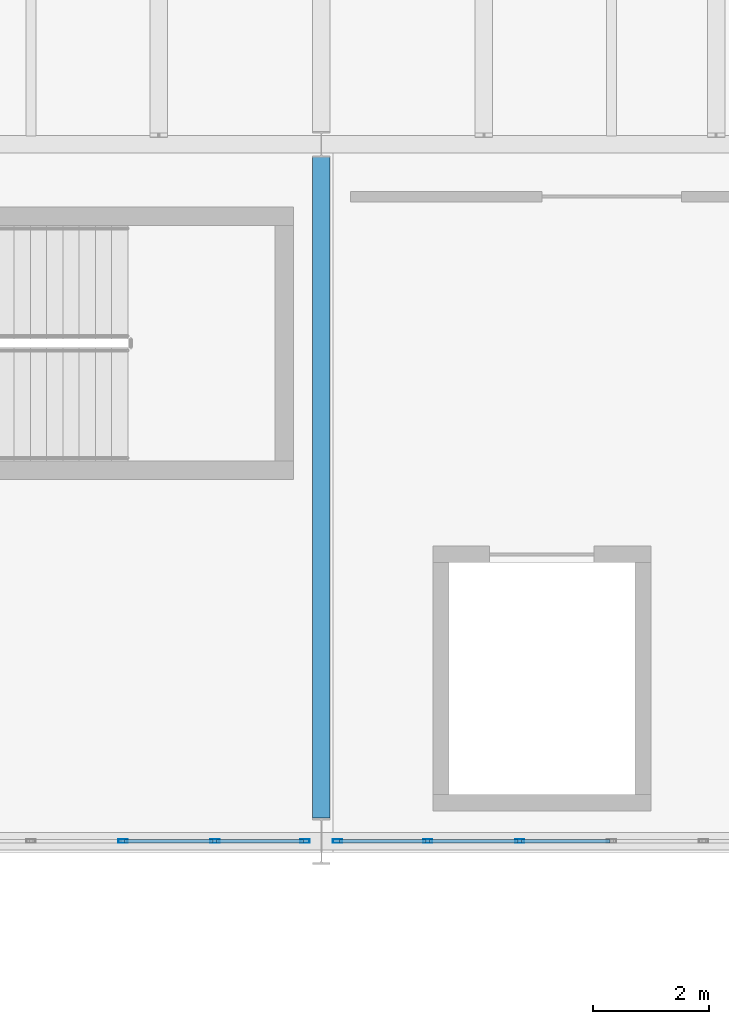
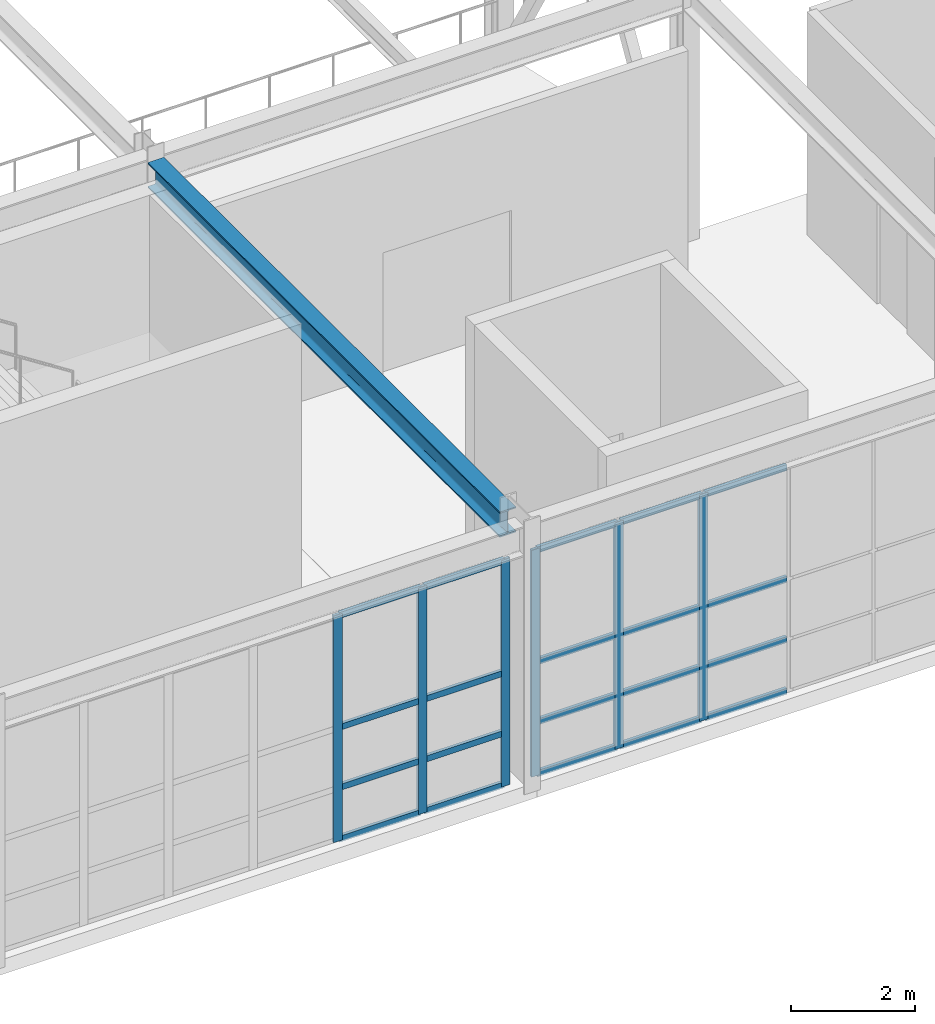
# One storey, part 112 of 210: 26 members, 1 beam, 2 elements without a shape of their own.
"""IFC4 building model written with IfcOpenShell, lengths in metres."""

from ifc_helpers import new_model, si_unit, direction, frame, origin, origin_2d, place, context, subcontext, project, spatial, hollow_rectangle, i_section, extrude, material, material_profile, profile_set, type_object, element, aggregate, save


model = new_model("IFC4")

# Units and contexts
model_context = context("Model", 3, precision=1e-05, world=origin(), true_north=direction((0.0, 1.0)))
body_context = subcontext(model_context, "Body", "Model", "MODEL_VIEW")
ifc_project = project(units=[si_unit("LENGTHUNIT", "METRE"), si_unit("AREAUNIT", "SQUARE_METRE"), si_unit("VOLUMEUNIT", "CUBIC_METRE"), si_unit("PLANEANGLEUNIT", "RADIAN"), si_unit("MASSUNIT", "GRAM", prefix="KILO")], contexts=[model_context])

# Site, building, storey
site_placement = place(None, origin())
site = spatial("IfcSite", under=ifc_project, at=site_placement, CompositionType="ELEMENT")
building_placement = place(site_placement, origin())
building = spatial("IfcBuilding", under=site, at=building_placement, Name="Kaldris Quays Convention Centre", CompositionType="ELEMENT")
storey_placement = place(building_placement, frame((0.0, 0.0, 6.0)))
storey = spatial("IfcBuildingStorey", under=building, at=storey_placement, Name="L01", CompositionType="ELEMENT", Elevation=6.0)

# Curtain wall, members
ifc_material_1 = material(Name="Anodized aluminium AW-6060 and triple glazing", Category="aluminium")
curtain_wall_type = type_object("IfcCurtainWallType", Name="UNITISED CURTAIN WALL CW01", PredefinedType="NOTDEFINED", material=ifc_material_1)
curtain_wall_1_placement = place(storey_placement, origin())
curtain_wall_1 = element("IfcCurtainWall", 1, at=curtain_wall_1_placement, inside=storey, type_object=curtain_wall_type, Name="L01 Unitised Curtain Wall CW01 23", PredefinedType="NOTDEFINED")
ifc_material_2 = material(Name="Anodized aluminium AW-6060", Category="aluminium")
ifc_material_profile_1 = material_profile(ifc_material_2, hollow_rectangle(XDim=0.06005859375, YDim=0.159912109375, WallThickness=0.00390625, at=origin_2d()), Name="RHS 160x60x4")
ifc_profile_set_1 = profile_set([ifc_material_profile_1], Name="Anodized aluminium AW-6060")
member_type_1 = type_object("IfcMemberType", Name="CURTAIN MULLION CWM1", PredefinedType="MULLION", material=ifc_profile_set_1)
member_1_placement = place(storey_placement, frame((180.583251953125, 56.0, 0.0), z_axis=(0.0, 0.0, 1.0), x_axis=(0.0, 1.0, 0.0)))
member_1 = element("IfcMember", 2, at=member_1_placement, type_object=member_type_1, Name="CW01 mullion 5", PredefinedType="MULLION", context=body_context, shape_type="SweptSolid", body=[
    extrude(hollow_rectangle(XDim=0.06005859375, YDim=0.159912109375, WallThickness=0.00390625, at=origin_2d()), origin(), (0.0, 0.0, 1.0), 4.47802734375),
])
member_2_placement = place(storey_placement, frame((182.166748046875, 56.0, 0.0), z_axis=(0.0, 0.0, 1.0), x_axis=(0.0, 1.0, 0.0)))
member_2 = element("IfcMember", 3, at=member_2_placement, type_object=member_type_1, Name="CW01 mullion 6", PredefinedType="MULLION", context=body_context, shape_type="SweptSolid", body=[
    extrude(hollow_rectangle(XDim=0.06005859375, YDim=0.159912109375, WallThickness=0.00390625, at=origin_2d()), origin(), (0.0, 0.0, 1.0), 4.47802734375),
])
member_3_placement = place(storey_placement, frame((183.719970703125, 56.0, 0.0), z_axis=(0.0, 0.0, 1.0), x_axis=(0.0, 1.0, 0.0)))
member_3 = element("IfcMember", 4, at=member_3_placement, type_object=member_type_1, Name="CW01 mullion 7", PredefinedType="MULLION", context=body_context, shape_type="SweptSolid", body=[
    extrude(hollow_rectangle(XDim=0.06005859375, YDim=0.159912109375, WallThickness=0.00390625, at=origin_2d()), origin(), (0.0, 0.0, 1.0), 4.47802734375),
])

curtain_wall_2_placement = place(storey_placement, origin())
curtain_wall_2 = element("IfcCurtainWall", 5, at=curtain_wall_2_placement, inside=storey, type_object=curtain_wall_type, Name="L01 Unitised Curtain Wall CW01 24", PredefinedType="NOTDEFINED")
member_4_placement = place(storey_placement, frame((184.280029296875, 56.0, 0.0), z_axis=(0.0, 0.0, 1.0), x_axis=(0.0, 1.0, 0.0)))
member_4 = element("IfcMember", 6, at=member_4_placement, type_object=member_type_1, Name="CW01 mullion 1", PredefinedType="MULLION", context=body_context, shape_type="SweptSolid", body=[
    extrude(hollow_rectangle(XDim=0.06005859375, YDim=0.159912109375, WallThickness=0.00390625, at=origin_2d()), origin(), (0.0, 0.0, 1.0), 4.47802734375),
])
member_5_placement = place(storey_placement, frame((185.833251953125, 56.0, 0.0), z_axis=(0.0, 0.0, 1.0), x_axis=(0.0, 1.0, 0.0)))
member_5 = element("IfcMember", 7, at=member_5_placement, type_object=member_type_1, Name="CW01 mullion 2", PredefinedType="MULLION", context=body_context, shape_type="SweptSolid", body=[
    extrude(hollow_rectangle(XDim=0.06005859375, YDim=0.159912109375, WallThickness=0.00390625, at=origin_2d()), origin(), (0.0, 0.0, 1.0), 4.47802734375),
])
member_6_placement = place(storey_placement, frame((187.416748046875, 56.0, 0.0), z_axis=(0.0, 0.0, 1.0), x_axis=(0.0, 1.0, 0.0)))
member_6 = element("IfcMember", 8, at=member_6_placement, type_object=member_type_1, Name="CW01 mullion 3", PredefinedType="MULLION", context=body_context, shape_type="SweptSolid", body=[
    extrude(hollow_rectangle(XDim=0.06005859375, YDim=0.159912109375, WallThickness=0.00390625, at=origin_2d()), origin(), (0.0, 0.0, 1.0), 4.47802734375),
])

# Member
ifc_material_profile_2 = material_profile(ifc_material_2, hollow_rectangle(XDim=0.06005859375, YDim=0.1201171875, WallThickness=0.00390625, at=origin_2d()), Name="RHS 120x60x4")
ifc_profile_set_2 = profile_set([ifc_material_profile_2], Name="Anodized aluminium AW-6060")
member_type_2 = type_object("IfcMemberType", Name="CURTAIN TRANSOM CWT1", PredefinedType="USERDEFINED", material=ifc_profile_set_2)
member_7_placement = place(storey_placement, frame((180.61328125, 56.0, 0.030029296875), z_axis=(1.0, 0.0, 0.0), x_axis=(0.0, 1.0, 0.0)))
member_7 = element("IfcMember", 9, at=member_7_placement, type_object=member_type_2, Name="CW01 transom 5.1", ObjectType="TRANSOM", PredefinedType="USERDEFINED", context=body_context, shape_type="SweptSolid", body=[
    extrude(hollow_rectangle(XDim=0.06005859375, YDim=0.1201171875, WallThickness=0.00390625, at=origin_2d()), origin(), (0.0, 0.0, 1.0), 1.5234375),
])

member_8_placement = place(storey_placement, frame((180.61328125, 56.0, 1.050048828125), z_axis=(1.0, 0.0, 0.0), x_axis=(0.0, 1.0, 0.0)))
member_8 = element("IfcMember", 10, at=member_8_placement, type_object=member_type_2, Name="CW01 transom 5.2", ObjectType="TRANSOM", PredefinedType="USERDEFINED", context=body_context, shape_type="SweptSolid", body=[
    extrude(hollow_rectangle(XDim=0.06005859375, YDim=0.1201171875, WallThickness=0.00390625, at=origin_2d()), origin(), (0.0, 0.0, 1.0), 1.5234375),
])

member_9_placement = place(storey_placement, frame((180.61328125, 56.0, 2.239013671875), z_axis=(1.0, 0.0, 0.0), x_axis=(0.0, 1.0, 0.0)))
member_9 = element("IfcMember", 11, at=member_9_placement, type_object=member_type_2, Name="CW01 transom 5.3", ObjectType="TRANSOM", PredefinedType="USERDEFINED", context=body_context, shape_type="SweptSolid", body=[
    extrude(hollow_rectangle(XDim=0.06005859375, YDim=0.1201171875, WallThickness=0.00390625, at=origin_2d()), origin(), (0.0, 0.0, 1.0), 1.5234375),
])

member_10_placement = place(storey_placement, frame((180.61328125, 56.0, 4.447998046875), z_axis=(1.0, 0.0, 0.0), x_axis=(0.0, 1.0, 0.0)))
member_10 = element("IfcMember", 12, at=member_10_placement, type_object=member_type_2, Name="CW01 transom 5.4", ObjectType="TRANSOM", PredefinedType="USERDEFINED", context=body_context, shape_type="SweptSolid", body=[
    extrude(hollow_rectangle(XDim=0.06005859375, YDim=0.1201171875, WallThickness=0.00390625, at=origin_2d()), origin(), (0.0, 0.0, 1.0), 1.5234375),
])

member_11_placement = place(storey_placement, frame((182.19677734375, 56.0, 0.030029296875), z_axis=(1.0, 0.0, 0.0), x_axis=(0.0, 1.0, 0.0)))
member_11 = element("IfcMember", 13, at=member_11_placement, type_object=member_type_2, Name="CW01 transom 6.1", ObjectType="TRANSOM", PredefinedType="USERDEFINED", context=body_context, shape_type="SweptSolid", body=[
    extrude(hollow_rectangle(XDim=0.06005859375, YDim=0.1201171875, WallThickness=0.00390625, at=origin_2d()), origin(), (0.0, 0.0, 1.0), 1.4931640625),
])

member_12_placement = place(storey_placement, frame((182.19677734375, 56.0, 1.050048828125), z_axis=(1.0, 0.0, 0.0), x_axis=(0.0, 1.0, 0.0)))
member_12 = element("IfcMember", 14, at=member_12_placement, type_object=member_type_2, Name="CW01 transom 6.2", ObjectType="TRANSOM", PredefinedType="USERDEFINED", context=body_context, shape_type="SweptSolid", body=[
    extrude(hollow_rectangle(XDim=0.06005859375, YDim=0.1201171875, WallThickness=0.00390625, at=origin_2d()), origin(), (0.0, 0.0, 1.0), 1.4931640625),
])

member_13_placement = place(storey_placement, frame((182.19677734375, 56.0, 2.239013671875), z_axis=(1.0, 0.0, 0.0), x_axis=(0.0, 1.0, 0.0)))
member_13 = element("IfcMember", 15, at=member_13_placement, type_object=member_type_2, Name="CW01 transom 6.3", ObjectType="TRANSOM", PredefinedType="USERDEFINED", context=body_context, shape_type="SweptSolid", body=[
    extrude(hollow_rectangle(XDim=0.06005859375, YDim=0.1201171875, WallThickness=0.00390625, at=origin_2d()), origin(), (0.0, 0.0, 1.0), 1.4931640625),
])

member_14_placement = place(storey_placement, frame((182.19677734375, 56.0, 4.447998046875), z_axis=(1.0, 0.0, 0.0), x_axis=(0.0, 1.0, 0.0)))
member_14 = element("IfcMember", 16, at=member_14_placement, type_object=member_type_2, Name="CW01 transom 6.4", ObjectType="TRANSOM", PredefinedType="USERDEFINED", context=body_context, shape_type="SweptSolid", body=[
    extrude(hollow_rectangle(XDim=0.06005859375, YDim=0.1201171875, WallThickness=0.00390625, at=origin_2d()), origin(), (0.0, 0.0, 1.0), 1.4931640625),
])

aggregate(curtain_wall_1, [member_1, member_2, member_3, member_7, member_8, member_9, member_10, member_11, member_12, member_13, member_14])

member_15_placement = place(storey_placement, frame((184.31005859375, 56.0, 0.030029296875), z_axis=(1.0, 0.0, 0.0), x_axis=(0.0, 1.0, 0.0)))
member_15 = element("IfcMember", 17, at=member_15_placement, type_object=member_type_2, Name="CW01 transom 1.1", ObjectType="TRANSOM", PredefinedType="USERDEFINED", context=body_context, shape_type="SweptSolid", body=[
    extrude(hollow_rectangle(XDim=0.06005859375, YDim=0.1201171875, WallThickness=0.00390625, at=origin_2d()), origin(), (0.0, 0.0, 1.0), 1.4931640625),
])

member_16_placement = place(storey_placement, frame((184.31005859375, 56.0, 1.050048828125), z_axis=(1.0, 0.0, 0.0), x_axis=(0.0, 1.0, 0.0)))
member_16 = element("IfcMember", 18, at=member_16_placement, type_object=member_type_2, Name="CW01 transom 1.2", ObjectType="TRANSOM", PredefinedType="USERDEFINED", context=body_context, shape_type="SweptSolid", body=[
    extrude(hollow_rectangle(XDim=0.06005859375, YDim=0.1201171875, WallThickness=0.00390625, at=origin_2d()), origin(), (0.0, 0.0, 1.0), 1.4931640625),
])

member_17_placement = place(storey_placement, frame((184.31005859375, 56.0, 2.239013671875), z_axis=(1.0, 0.0, 0.0), x_axis=(0.0, 1.0, 0.0)))
member_17 = element("IfcMember", 19, at=member_17_placement, type_object=member_type_2, Name="CW01 transom 1.3", ObjectType="TRANSOM", PredefinedType="USERDEFINED", context=body_context, shape_type="SweptSolid", body=[
    extrude(hollow_rectangle(XDim=0.06005859375, YDim=0.1201171875, WallThickness=0.00390625, at=origin_2d()), origin(), (0.0, 0.0, 1.0), 1.4931640625),
])

member_18_placement = place(storey_placement, frame((184.31005859375, 56.0, 4.447998046875), z_axis=(1.0, 0.0, 0.0), x_axis=(0.0, 1.0, 0.0)))
member_18 = element("IfcMember", 20, at=member_18_placement, type_object=member_type_2, Name="CW01 transom 1.4", ObjectType="TRANSOM", PredefinedType="USERDEFINED", context=body_context, shape_type="SweptSolid", body=[
    extrude(hollow_rectangle(XDim=0.06005859375, YDim=0.1201171875, WallThickness=0.00390625, at=origin_2d()), origin(), (0.0, 0.0, 1.0), 1.4931640625),
])

member_19_placement = place(storey_placement, frame((185.86328125, 56.0, 0.030029296875), z_axis=(1.0, 0.0, 0.0), x_axis=(0.0, 1.0, 0.0)))
member_19 = element("IfcMember", 21, at=member_19_placement, type_object=member_type_2, Name="CW01 transom 2.1", ObjectType="TRANSOM", PredefinedType="USERDEFINED", context=body_context, shape_type="SweptSolid", body=[
    extrude(hollow_rectangle(XDim=0.06005859375, YDim=0.1201171875, WallThickness=0.00390625, at=origin_2d()), origin(), (0.0, 0.0, 1.0), 1.5234375),
])

member_20_placement = place(storey_placement, frame((185.86328125, 56.0, 1.050048828125), z_axis=(1.0, 0.0, 0.0), x_axis=(0.0, 1.0, 0.0)))
member_20 = element("IfcMember", 22, at=member_20_placement, type_object=member_type_2, Name="CW01 transom 2.2", ObjectType="TRANSOM", PredefinedType="USERDEFINED", context=body_context, shape_type="SweptSolid", body=[
    extrude(hollow_rectangle(XDim=0.06005859375, YDim=0.1201171875, WallThickness=0.00390625, at=origin_2d()), origin(), (0.0, 0.0, 1.0), 1.5234375),
])

member_21_placement = place(storey_placement, frame((185.86328125, 56.0, 2.239013671875), z_axis=(1.0, 0.0, 0.0), x_axis=(0.0, 1.0, 0.0)))
member_21 = element("IfcMember", 23, at=member_21_placement, type_object=member_type_2, Name="CW01 transom 2.3", ObjectType="TRANSOM", PredefinedType="USERDEFINED", context=body_context, shape_type="SweptSolid", body=[
    extrude(hollow_rectangle(XDim=0.06005859375, YDim=0.1201171875, WallThickness=0.00390625, at=origin_2d()), origin(), (0.0, 0.0, 1.0), 1.5234375),
])

member_22_placement = place(storey_placement, frame((185.86328125, 56.0, 4.447998046875), z_axis=(1.0, 0.0, 0.0), x_axis=(0.0, 1.0, 0.0)))
member_22 = element("IfcMember", 24, at=member_22_placement, type_object=member_type_2, Name="CW01 transom 2.4", ObjectType="TRANSOM", PredefinedType="USERDEFINED", context=body_context, shape_type="SweptSolid", body=[
    extrude(hollow_rectangle(XDim=0.06005859375, YDim=0.1201171875, WallThickness=0.00390625, at=origin_2d()), origin(), (0.0, 0.0, 1.0), 1.5234375),
])

member_23_placement = place(storey_placement, frame((187.44677734375, 56.0, 0.030029296875), z_axis=(1.0, 0.0, 0.0), x_axis=(0.0, 1.0, 0.0)))
member_23 = element("IfcMember", 25, at=member_23_placement, type_object=member_type_2, Name="CW01 transom 3.1", ObjectType="TRANSOM", PredefinedType="USERDEFINED", context=body_context, shape_type="SweptSolid", body=[
    extrude(hollow_rectangle(XDim=0.06005859375, YDim=0.1201171875, WallThickness=0.00390625, at=origin_2d()), origin(), (0.0, 0.0, 1.0), 1.523193359375),
])

member_24_placement = place(storey_placement, frame((187.44677734375, 56.0, 1.050048828125), z_axis=(1.0, 0.0, 0.0), x_axis=(0.0, 1.0, 0.0)))
member_24 = element("IfcMember", 26, at=member_24_placement, type_object=member_type_2, Name="CW01 transom 3.2", ObjectType="TRANSOM", PredefinedType="USERDEFINED", context=body_context, shape_type="SweptSolid", body=[
    extrude(hollow_rectangle(XDim=0.06005859375, YDim=0.1201171875, WallThickness=0.00390625, at=origin_2d()), origin(), (0.0, 0.0, 1.0), 1.523193359375),
])

member_25_placement = place(storey_placement, frame((187.44677734375, 56.0, 2.239013671875), z_axis=(1.0, 0.0, 0.0), x_axis=(0.0, 1.0, 0.0)))
member_25 = element("IfcMember", 27, at=member_25_placement, type_object=member_type_2, Name="CW01 transom 3.3", ObjectType="TRANSOM", PredefinedType="USERDEFINED", context=body_context, shape_type="SweptSolid", body=[
    extrude(hollow_rectangle(XDim=0.06005859375, YDim=0.1201171875, WallThickness=0.00390625, at=origin_2d()), origin(), (0.0, 0.0, 1.0), 1.523193359375),
])

member_26_placement = place(storey_placement, frame((187.44677734375, 56.0, 4.447998046875), z_axis=(1.0, 0.0, 0.0), x_axis=(0.0, 1.0, 0.0)))
member_26 = element("IfcMember", 28, at=member_26_placement, type_object=member_type_2, Name="CW01 transom 3.4", ObjectType="TRANSOM", PredefinedType="USERDEFINED", context=body_context, shape_type="SweptSolid", body=[
    extrude(hollow_rectangle(XDim=0.06005859375, YDim=0.1201171875, WallThickness=0.00390625, at=origin_2d()), origin(), (0.0, 0.0, 1.0), 1.523193359375),
])

aggregate(curtain_wall_2, [member_4, member_5, member_6, member_15, member_16, member_17, member_18, member_19, member_20, member_21, member_22, member_23, member_24, member_25, member_26])

# Beam
ifc_material_3 = material(Name="Steel S355J2", Category="steel")
ifc_material_profile_3 = material_profile(ifc_material_3, i_section(OverallWidth=0.300048828125, OverallDepth=0.5, WebThickness=0.014404296875, FlangeThickness=0.028076171875, FilletRadius=0.027099609375, at=origin_2d()), Name="HEB 500")
ifc_profile_set_3 = profile_set([ifc_material_profile_3], Name="Steel S355J2")
beam_type = type_object("IfcBeamType", Name="STRUCTURAL BEAM BM06", PredefinedType="BEAM", material=ifc_profile_set_3)
beam_placement = place(storey_placement, frame((184.0, 56.39404296875, 4.85302734375), z_axis=(0.0, 1.0, 0.0), x_axis=(-1.0, 0.0, 0.0)))
element("IfcBeam", 29, at=beam_placement, inside=storey, type_object=beam_type, Name="L01 Girder BM06 15", PredefinedType="BEAM", context=body_context, shape_type="SweptSolid", body=[
    extrude(i_section(OverallWidth=0.300048828125, OverallDepth=0.5, WebThickness=0.014404296875, FlangeThickness=0.028076171875, FilletRadius=0.027099609375, at=origin_2d()), origin(), (0.0, 0.0, 1.0), 11.386962890625),
])

save(model, "model.ifc")
